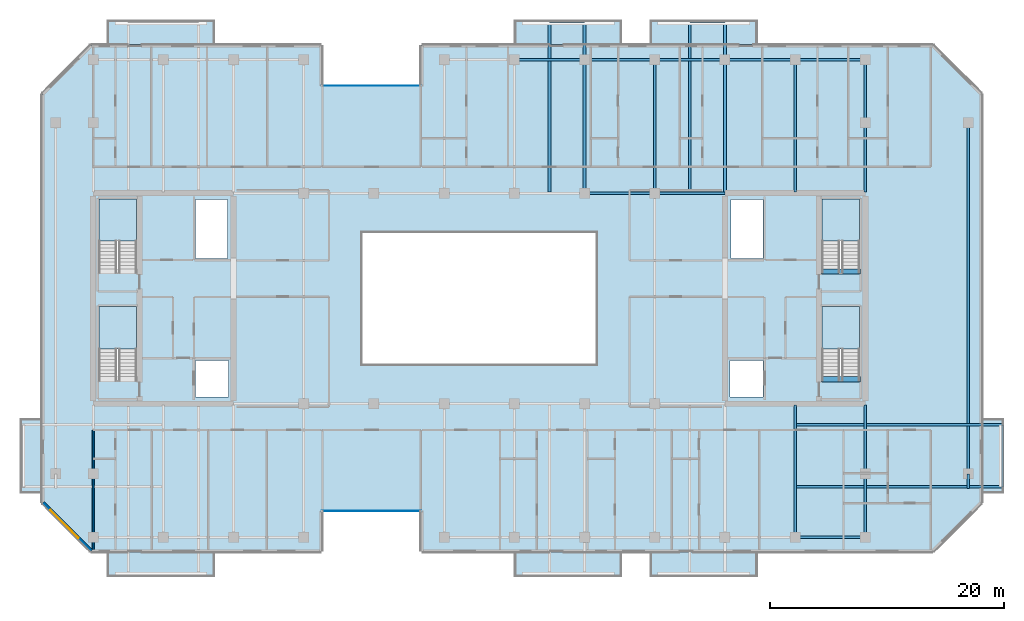
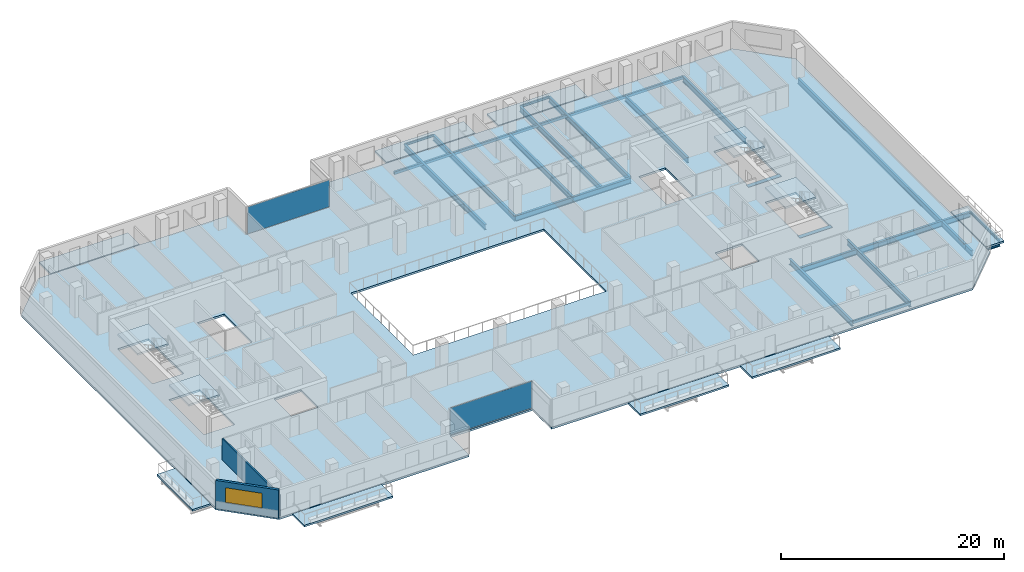
# One storey, part 8 of 19: 26 beams, 13 slabs, 2 plates, 2 walls, 1 window, 1 opening, 6 elements without a shape of their own.
"""IFC4 building model written with IfcOpenShell, lengths in metres."""

from ifc_helpers import new_model, si_unit, direction, frame, frame_2d, origin, origin_2d, place, context, subcontext, project, spatial, polyline, rectangle, hollow_rectangle, i_section, outline, extrude, material, layer, layer_set, material_profile, profile_set, type_object, element, fill, aggregate, save


model = new_model("IFC4")

# Units and contexts
model_context = context("Model", 3, precision=1e-05, world=origin(), true_north=direction((0.0, 1.0)))
body_context = subcontext(model_context, "Body", "Model", "MODEL_VIEW")
ifc_project = project(units=[si_unit("LENGTHUNIT", "METRE"), si_unit("AREAUNIT", "SQUARE_METRE"), si_unit("VOLUMEUNIT", "CUBIC_METRE"), si_unit("PLANEANGLEUNIT", "RADIAN"), si_unit("MASSUNIT", "GRAM", prefix="KILO")], contexts=[model_context])

# Site, building, storey
site_placement = place(None, origin())
site = spatial("IfcSite", under=ifc_project, at=site_placement, CompositionType="ELEMENT")
building_placement = place(site_placement, origin())
building = spatial("IfcBuilding", under=site, at=building_placement, Name="Tanjung Sevakor Pilgrim Tower", CompositionType="ELEMENT")
storey_placement = place(building_placement, frame((0.0, 0.0, 138.60009765625)))
storey = spatial("IfcBuildingStorey", under=building, at=storey_placement, Name="L38", CompositionType="ELEMENT", Elevation=138.60009765625)

# Beams
ifc_material_1 = material(Name="Steel S355J2", Category="steel")
ifc_material_profile_1 = material_profile(ifc_material_1, i_section(OverallWidth=0.230224609375, OverallDepth=0.6171875, WebThickness=0.01318359375, FlangeThickness=0.022216796875, FilletRadius=0.0126953125, at=origin_2d()))
ifc_profile_set_1 = profile_set([ifc_material_profile_1], Name="Steel S355J2")
beam_type_1 = type_object("IfcBeamType", Name="BM-B-G3-UB_610x229x140", PredefinedType="BEAM", material=ifc_profile_set_1)
for number, where, z_axis, x_axis, name in (
    (1, (66.0, 42.60009765625, -0.52880859375), (1.0, 0.0, 0.0), (0.0, 1.0, 0.0), "L38 Primary Floor Girder MAIN Y426-06"),
    (2, (72.0, 42.60009765625, -0.52880859375), (1.0, 0.0, 0.0), (0.0, 1.0, 0.0), "L38 Primary Floor Girder MAIN Y426-07"),
):
    element("IfcBeam", number, at=place(storey_placement, frame(where, z_axis=z_axis, x_axis=x_axis)), inside=storey, type_object=beam_type_1, Name=name, PredefinedType="BEAM", context=body_context, shape_type="SweptSolid", body=[
        extrude(i_section(OverallWidth=0.230224609375, OverallDepth=0.6171875, WebThickness=0.01318359375, FlangeThickness=0.022216796875, FilletRadius=0.0126953125, at=origin_2d()), origin(), (0.0, 0.0, 1.0), 6.0),
    ])
ifc_material_2 = material(Name="Steel S355J2", Category="steel")
ifc_material_profile_2 = material_profile(ifc_material_2, i_section(OverallWidth=0.22900390625, OverallDepth=0.6123046875, WebThickness=0.011962890625, FlangeThickness=0.01953125, FilletRadius=0.0126953125, at=origin_2d()))
ifc_profile_set_2 = profile_set([ifc_material_profile_2], Name="Steel S355J2")
beam_type_2 = type_object("IfcBeamType", Name="BM-B-G4-UB_610x229x125", PredefinedType="BEAM", material=ifc_profile_set_2)
beam_1_placement = place(storey_placement, frame((98.800048828125, 18.60009765625, -0.526123046875), z_axis=(0.0, 1.0, 0.0), x_axis=(-1.0, 0.0, 0.0)))
element("IfcBeam", 3, at=beam_1_placement, inside=storey, type_object=beam_type_2, Name="L38 Short-End Edge Girder E", PredefinedType="BEAM", context=body_context, shape_type="SweptSolid", body=[
    extrude(i_section(OverallWidth=0.22900390625, OverallDepth=0.6123046875, WebThickness=0.011962890625, FlangeThickness=0.01953125, FilletRadius=0.0126953125, at=origin_2d()), origin(), (0.0, 0.0, 1.0), 30.0),
])
beam_2_placement = place(storey_placement, frame((98.800048828125, 18.60009765625, -0.526123046875), z_axis=(0.0, -1.0, 0.0), x_axis=(1.0, 0.0, 0.0)))
element("IfcBeam", 4, at=beam_2_placement, inside=storey, type_object=beam_type_2, Name="L38 Short-End Edge Extension S-E", PredefinedType="BEAM", context=body_context, shape_type="SweptSolid", body=[
    extrude(i_section(OverallWidth=0.22900390625, OverallDepth=0.6123046875, WebThickness=0.011962890625, FlangeThickness=0.01953125, FilletRadius=0.0126953125, at=origin_2d()), origin(), (0.0, 0.0, 1.0), 1.25),
])
for number, where, z_axis, x_axis, name in (
    (5, (84.0, 17.5, -0.526123046875), (1.0, 0.0, 0.0), (0.0, 1.0, 0.0), "L38 Balcony Overhanging Beam MAIN-E1-1"),
    (6, (84.0, 22.800048828125, -0.526123046875), (1.0, 0.0, 0.0), (0.0, 1.0, 0.0), "L38 Balcony Overhanging Beam MAIN-E1-2"),
):
    element("IfcBeam", number, at=place(storey_placement, frame(where, z_axis=z_axis, x_axis=x_axis)), inside=storey, type_object=beam_type_2, Name=name, PredefinedType="BEAM", context=body_context, shape_type="SweptSolid", body=[
        extrude(i_section(OverallWidth=0.22900390625, OverallDepth=0.6123046875, WebThickness=0.011962890625, FlangeThickness=0.01953125, FilletRadius=0.0126953125, at=origin_2d()), origin(), (0.0, 0.0, 1.0), 17.72998046875),
    ])
beam_3_placement = place(storey_placement, frame((63.0, 42.715087890625, -0.526123046875), z_axis=(0.0, 1.0, 0.0), x_axis=(-1.0, 0.0, 0.0)))
element("IfcBeam", 7, at=beam_3_placement, inside=storey, type_object=beam_type_2, Name="L38 Balcony Cantilever Beam MAIN-N2-1", PredefinedType="BEAM", context=body_context, shape_type="SweptSolid", body=[
    extrude(i_section(OverallWidth=0.22900390625, OverallDepth=0.6123046875, WebThickness=0.011962890625, FlangeThickness=0.01953125, FilletRadius=0.0126953125, at=origin_2d()), origin(), (0.0, 0.0, 1.0), 14.56494140625),
])
beam_4_placement = place(storey_placement, frame((66.0, 42.60009765625, -0.526123046875), z_axis=(0.0, 1.0, 0.0), x_axis=(-1.0, 0.0, 0.0)))
element("IfcBeam", 8, at=beam_4_placement, inside=storey, type_object=beam_type_2, Name="L38 Balcony Cantilever Beam MAIN-N2-2", PredefinedType="BEAM", context=body_context, shape_type="SweptSolid", body=[
    extrude(i_section(OverallWidth=0.22900390625, OverallDepth=0.6123046875, WebThickness=0.011962890625, FlangeThickness=0.01953125, FilletRadius=0.0126953125, at=origin_2d()), origin(), (0.0, 0.0, 1.0), 14.679931640625),
])
beam_5_placement = place(storey_placement, frame((72.0, 42.60009765625, -0.526123046875), z_axis=(0.0, 1.0, 0.0), x_axis=(-1.0, 0.0, 0.0)))
element("IfcBeam", 9, at=beam_5_placement, inside=storey, type_object=beam_type_2, Name="L38 MAIN Girder 016", PredefinedType="BEAM", context=body_context, shape_type="SweptSolid", body=[
    extrude(i_section(OverallWidth=0.22900390625, OverallDepth=0.6123046875, WebThickness=0.011962890625, FlangeThickness=0.01953125, FilletRadius=0.0126953125, at=origin_2d()), origin(), (0.0, 0.0, 1.0), 11.39990234375),
])
for number, where, z_axis, x_axis, name in (
    (10, (75.0, 42.715087890625, -0.526123046875), (0.0, 1.0, 0.0), (-1.0, 0.0, 0.0), "L38 Balcony Cantilever Beam MAIN-N3-1"),
    (11, (78.0, 42.715087890625, -0.526123046875), (0.0, 1.0, 0.0), (-1.0, 0.0, 0.0), "L38 Balcony Cantilever Beam MAIN-N3-2"),
):
    element("IfcBeam", number, at=place(storey_placement, frame(where, z_axis=z_axis, x_axis=x_axis)), inside=storey, type_object=beam_type_2, Name=name, PredefinedType="BEAM", context=body_context, shape_type="SweptSolid", body=[
        extrude(i_section(OverallWidth=0.22900390625, OverallDepth=0.6123046875, WebThickness=0.011962890625, FlangeThickness=0.01953125, FilletRadius=0.0126953125, at=origin_2d()), origin(), (0.0, 0.0, 1.0), 14.56494140625),
    ])
for number, where, z_axis, x_axis, name in (
    (12, (84.0, 13.199951171875, -0.526123046875), (0.0, 1.0, 0.0), (-1.0, 0.0, 0.0), "L38 MAIN Girder 017"),
    (13, (84.0, 42.715087890625, -0.526123046875), (0.0, 1.0, 0.0), (-1.0, 0.0, 0.0), "L38 MAIN Girder 018"),
    (14, (90.0, 13.199951171875, -0.526123046875), (0.0, 1.0, 0.0), (-1.0, 0.0, 0.0), "L38 MAIN Girder 019"),
    (15, (90.0, 42.715087890625, -0.526123046875), (0.0, 1.0, 0.0), (-1.0, 0.0, 0.0), "L38 MAIN Girder 020"),
):
    element("IfcBeam", number, at=place(storey_placement, frame(where, z_axis=z_axis, x_axis=x_axis)), inside=storey, type_object=beam_type_2, Name=name, PredefinedType="BEAM", context=body_context, shape_type="SweptSolid", body=[
        extrude(i_section(OverallWidth=0.22900390625, OverallDepth=0.6123046875, WebThickness=0.011962890625, FlangeThickness=0.01953125, FilletRadius=0.0126953125, at=origin_2d()), origin(), (0.0, 0.0, 1.0), 11.284912109375),
    ])
ifc_material_3 = material(Name="Steel S355J2", Category="steel")
ifc_material_profile_3 = material_profile(ifc_material_3, i_section(OverallWidth=0.146484375, OverallDepth=0.256103515625, WebThickness=0.00634765625, FlangeThickness=0.010986328125, FilletRadius=0.007568359375, at=origin_2d()))
ifc_profile_set_3 = profile_set([ifc_material_profile_3], Name="Steel S355J2")
beam_type_3 = type_object("IfcBeamType", Name="BM-B-J6-UB_254x146x37", PredefinedType="JOIST", material=ifc_profile_set_3)
for number, where, z_axis, x_axis, name in (
    (16, (63.0, 57.280029296875, -0.328125), (1.0, 0.0, 0.0), (0.0, 1.0, 0.0), "L38 Balcony Rim Tie MAIN-N2"),
    (17, (75.0, 57.280029296875, -0.328125), (1.0, 0.0, 0.0), (0.0, 1.0, 0.0), "L38 Balcony Rim Tie MAIN-N3"),
):
    element("IfcBeam", number, at=place(storey_placement, frame(where, z_axis=z_axis, x_axis=x_axis)), inside=storey, type_object=beam_type_3, Name=name, PredefinedType="JOIST", context=body_context, shape_type="SweptSolid", body=[
        extrude(i_section(OverallWidth=0.146484375, OverallDepth=0.256103515625, WebThickness=0.00634765625, FlangeThickness=0.010986328125, FilletRadius=0.007568359375, at=origin_2d()), origin(), (0.0, 0.0, 1.0), 3.0),
    ])
beam_6_placement = place(storey_placement, frame((101.72998046875, 17.5, -0.328125), z_axis=(0.0, 1.0, 0.0), x_axis=(-1.0, 0.0, 0.0)))
element("IfcBeam", 18, at=beam_6_placement, inside=storey, type_object=beam_type_3, Name="L38 Balcony Rim Tie MAIN-E1", PredefinedType="JOIST", context=body_context, shape_type="SweptSolid", body=[
    extrude(i_section(OverallWidth=0.146484375, OverallDepth=0.256103515625, WebThickness=0.00634765625, FlangeThickness=0.010986328125, FilletRadius=0.007568359375, at=origin_2d()), origin(), (0.0, 0.0, 1.0), 5.300048828125),
])
ifc_material_4 = material(Name="Concrete C60/75", Category="concrete")
ifc_material_profile_4 = material_profile(ifc_material_4, rectangle(XDim=0.449951171875, YDim=0.699951171875, at=origin_2d()))
ifc_profile_set_4 = profile_set([ifc_material_profile_4], Name="Concrete C60/75")
beam_type_4 = type_object("IfcBeamType", Name="BM-B-LN3-RC-BM_450x700", PredefinedType="LINTEL", material=ifc_profile_set_4)
for number, where, z_axis, x_axis, name in (
    (19, (86.199951171875, 26.699951171875, -0.35009765625), (1.0, 0.0, 0.0), (0.0, 1.0, 0.0), "L38 TS-E1 Stair Threshold Beam"),
    (20, (86.199951171875, 35.89990234375, -0.35009765625), (1.0, 0.0, 0.0), (0.0, 1.0, 0.0), "L38 TS-E2 Stair Threshold Beam"),
):
    element("IfcBeam", number, at=place(storey_placement, frame(where, z_axis=z_axis, x_axis=x_axis)), inside=storey, type_object=beam_type_4, Name=name, PredefinedType="LINTEL", context=body_context, shape_type="SweptSolid", body=[
        extrude(rectangle(XDim=0.449951171875, YDim=0.699951171875, at=origin_2d()), origin(), (0.0, 0.0, 1.0), 3.400146484375),
    ])
ifc_material_5 = material(Name="Steel S355J2", Category="steel")
ifc_material_profile_5 = material_profile(ifc_material_5, hollow_rectangle(XDim=0.199951171875, YDim=0.300048828125, WallThickness=0.012451171875, at=origin_2d()))
ifc_profile_set_5 = profile_set([ifc_material_profile_5], Name="Steel S355J2")
beam_type_5 = type_object("IfcBeamType", Name="BM-B-SP3-RHS_300x200x12.5", PredefinedType="SPANDREL", material=ifc_profile_set_5)
for number, where, z_axis, x_axis, name in (
    (21, (60.0, 54.0, -0.3701171875), (1.0, 0.0, 0.0), (0.0, 1.0, 0.0), "L38 Spandrel MAIN N-10"),
    (22, (66.0, 54.0, -0.3701171875), (1.0, 0.0, 0.0), (0.0, 1.0, 0.0), "L38 Spandrel MAIN N-12"),
    (23, (72.0, 54.0, -0.3701171875), (1.0, 0.0, 0.0), (0.0, 1.0, 0.0), "L38 Spandrel MAIN N-14"),
    (24, (78.0, 54.0, -0.3701171875), (1.0, 0.0, 0.0), (0.0, 1.0, 0.0), "L38 Spandrel MAIN N-16"),
    (25, (84.0, 13.199951171875, -0.3701171875), (1.0, 0.0, 0.0), (0.0, 1.0, 0.0), "L38 Spandrel MAIN S-17"),
    (26, (84.0, 54.0, -0.3701171875), (1.0, 0.0, 0.0), (0.0, 1.0, 0.0), "L38 Spandrel MAIN N-18"),
):
    element("IfcBeam", number, at=place(storey_placement, frame(where, z_axis=z_axis, x_axis=x_axis)), inside=storey, type_object=beam_type_5, Name=name, PredefinedType="SPANDREL", context=body_context, shape_type="SweptSolid", body=[
        extrude(hollow_rectangle(XDim=0.199951171875, YDim=0.300048828125, WallThickness=0.012451171875, at=origin_2d()), origin(), (0.0, 0.0, 1.0), 6.0),
    ])

# Slabs
ifc_material_6 = material(Name="Concrete C40/50", Category="concrete")
ifc_layer_1 = layer(ifc_material_6, 0.199951171875)
ifc_layer_set_1 = layer_set([ifc_layer_1], Name="SL-BAL-200")
slab_type_1 = type_object("IfcSlabType", Name="SL-BAL-200", PredefinedType="FLOOR", material=ifc_layer_set_1)
slab_1_placement = place(storey_placement, frame((0.0, 0.0, -0.2001953125)))
element("IfcSlab", 27, at=slab_1_placement, inside=storey, type_object=slab_type_1, Name="L38 Planted Loggia Balcony MAIN-S1", PredefinedType="FLOOR", context=body_context, shape_type="SweptSolid", body=[
    extrude(outline(polyline([(25.199951171875, 9.800048828125), (34.39990234375, 9.800048828125), (34.39990234375, 11.89990234375), (25.199951171875, 11.89990234375), (25.199951171875, 9.800048828125)])), origin(), (0.0, 0.0, 1.0), 0.2001953125),
])
slab_2_placement = place(storey_placement, frame((0.0, 0.0, -0.2001953125)))
element("IfcSlab", 28, at=slab_2_placement, inside=storey, type_object=slab_type_1, Name="L38 Planted Loggia Balcony MAIN-N1", PredefinedType="FLOOR", context=body_context, shape_type="SweptSolid", body=[
    extrude(outline(polyline([(25.199951171875, 55.300048828125), (34.39990234375, 55.300048828125), (34.39990234375, 57.39990234375), (25.199951171875, 57.39990234375), (25.199951171875, 55.300048828125)])), origin(), (0.0, 0.0, 1.0), 0.2001953125),
])
slab_3_placement = place(storey_placement, frame((0.0, 0.0, -0.2001953125)))
element("IfcSlab", 29, at=slab_3_placement, inside=storey, type_object=slab_type_1, Name="L38 Planted Loggia Balcony MAIN-S2", PredefinedType="FLOOR", context=body_context, shape_type="SweptSolid", body=[
    extrude(outline(polyline([(60.0, 9.800048828125), (69.199951171875, 9.800048828125), (69.199951171875, 11.89990234375), (60.0, 11.89990234375), (60.0, 9.800048828125)])), origin(), (0.0, 0.0, 1.0), 0.2001953125),
])
slab_4_placement = place(storey_placement, frame((0.0, 0.0, -0.2001953125)))
element("IfcSlab", 30, at=slab_4_placement, inside=storey, type_object=slab_type_1, Name="L38 Planted Loggia Balcony MAIN-N2", PredefinedType="FLOOR", context=body_context, shape_type="SweptSolid", body=[
    extrude(outline(polyline([(60.0, 55.300048828125), (69.199951171875, 55.300048828125), (69.199951171875, 57.39990234375), (60.0, 57.39990234375), (60.0, 55.300048828125)])), origin(), (0.0, 0.0, 1.0), 0.2001953125),
])
slab_5_placement = place(storey_placement, frame((0.0, 0.0, -0.2001953125)))
element("IfcSlab", 31, at=slab_5_placement, inside=storey, type_object=slab_type_1, Name="L38 Planted Loggia Balcony MAIN-S3", PredefinedType="FLOOR", context=body_context, shape_type="SweptSolid", body=[
    extrude(outline(polyline([(71.60009765625, 9.800048828125), (80.800048828125, 9.800048828125), (80.800048828125, 11.89990234375), (71.60009765625, 11.89990234375), (71.60009765625, 9.800048828125)])), origin(), (0.0, 0.0, 1.0), 0.2001953125),
])
slab_6_placement = place(storey_placement, frame((0.0, 0.0, -0.2001953125)))
element("IfcSlab", 32, at=slab_6_placement, inside=storey, type_object=slab_type_1, Name="L38 Planted Loggia Balcony MAIN-N3", PredefinedType="FLOOR", context=body_context, shape_type="SweptSolid", body=[
    extrude(outline(polyline([(71.60009765625, 55.300048828125), (80.800048828125, 55.300048828125), (80.800048828125, 57.39990234375), (71.60009765625, 57.39990234375), (71.60009765625, 55.300048828125)])), origin(), (0.0, 0.0, 1.0), 0.2001953125),
])
slab_7_placement = place(storey_placement, frame((0.0, 0.0, -0.2001953125)))
element("IfcSlab", 33, at=slab_7_placement, inside=storey, type_object=slab_type_1, Name="L38 Planted Loggia Balcony MAIN-W1", PredefinedType="FLOOR", context=body_context, shape_type="SweptSolid", body=[
    extrude(outline(polyline([(17.75, 16.949951171875), (19.60009765625, 16.949951171875), (19.60009765625, 23.35009765625), (17.75, 23.35009765625), (17.75, 16.949951171875)])), origin(), (0.0, 0.0, 1.0), 0.2001953125),
])
slab_8_placement = place(storey_placement, frame((0.0, 0.0, -0.2001953125)))
element("IfcSlab", 34, at=slab_8_placement, inside=storey, type_object=slab_type_1, Name="L38 Planted Loggia Balcony MAIN-E1", PredefinedType="FLOOR", context=body_context, shape_type="SweptSolid", body=[
    extrude(outline(polyline([(100.0, 16.949951171875), (101.85009765625, 16.949951171875), (101.85009765625, 23.35009765625), (100.0, 23.35009765625), (100.0, 16.949951171875)])), origin(), (0.0, 0.0, 1.0), 0.2001953125),
])

# Stair, slab
ifc_material_7 = material(Name="Concrete C40/50", Category="concrete")
stair_type = type_object("IfcStairType", Name="STAIR-ST-CR150", PredefinedType="HALF_TURN_STAIR", material=ifc_material_7)
stair_1_placement = place(storey_placement, origin())
stair_1 = element("IfcStair", 35, at=stair_1_placement, inside=storey, type_object=stair_type, Name="L38 West Core Exit Stair 1", PredefinedType="HALF_TURN_STAIR")
ifc_material_8 = material(Name="Concrete C40/50", Category="concrete")
ifc_layer_2 = layer(ifc_material_8, 0.199951171875)
ifc_layer_set_2 = layer_set([ifc_layer_2], Name="SL-LAND-200")
slab_type_2 = type_object("IfcSlabType", Name="SL-LAND-200", PredefinedType="LANDING", material=ifc_layer_set_2)
slab_9_placement = place(storey_placement, frame((0.0, 0.0, 1.449951171875)))
slab_9 = element("IfcSlab", 36, at=slab_9_placement, type_object=slab_type_2, Name="TS-W1 landing 1", PredefinedType="LANDING", context=body_context, shape_type="SweptSolid", body=[
    extrude(outline(polyline([(27.699951171875, 29.300048828125), (27.699951171875, 32.89990234375), (24.5, 32.89990234375), (24.5, 29.300048828125), (27.699951171875, 29.300048828125)])), origin(), (0.0, 0.0, 1.0), 0.199951171875),
])
aggregate(stair_1, [slab_9])

stair_2_placement = place(storey_placement, origin())
stair_2 = element("IfcStair", 37, at=stair_2_placement, inside=storey, type_object=stair_type, Name="L38 West Core Exit Stair 2", PredefinedType="HALF_TURN_STAIR")
slab_10_placement = place(storey_placement, frame((0.0, 0.0, 1.449951171875)))
slab_10 = element("IfcSlab", 38, at=slab_10_placement, type_object=slab_type_2, Name="TS-W2 landing 1", PredefinedType="LANDING", context=body_context, shape_type="SweptSolid", body=[
    extrude(outline(polyline([(27.699951171875, 38.5), (27.699951171875, 42.10009765625), (24.5, 42.10009765625), (24.5, 38.5), (27.699951171875, 38.5)])), origin(), (0.0, 0.0, 1.0), 0.199951171875),
])
aggregate(stair_2, [slab_10])

stair_3_placement = place(storey_placement, origin())
stair_3 = element("IfcStair", 39, at=stair_3_placement, inside=storey, type_object=stair_type, Name="L38 East Core Exit Stair 1", PredefinedType="HALF_TURN_STAIR")
slab_11_placement = place(storey_placement, frame((0.0, 0.0, 1.449951171875)))
slab_11 = element("IfcSlab", 40, at=slab_11_placement, type_object=slab_type_2, Name="TS-E1 landing 1", PredefinedType="LANDING", context=body_context, shape_type="SweptSolid", body=[
    extrude(outline(polyline([(89.5, 29.300048828125), (89.5, 32.89990234375), (86.300048828125, 32.89990234375), (86.300048828125, 29.300048828125), (89.5, 29.300048828125)])), origin(), (0.0, 0.0, 1.0), 0.199951171875),
])
aggregate(stair_3, [slab_11])

stair_4_placement = place(storey_placement, origin())
stair_4 = element("IfcStair", 41, at=stair_4_placement, inside=storey, type_object=stair_type, Name="L38 East Core Exit Stair 2", PredefinedType="HALF_TURN_STAIR")
slab_12_placement = place(storey_placement, frame((0.0, 0.0, 1.449951171875)))
slab_12 = element("IfcSlab", 42, at=slab_12_placement, type_object=slab_type_2, Name="TS-E2 landing 1", PredefinedType="LANDING", context=body_context, shape_type="SweptSolid", body=[
    extrude(outline(polyline([(89.5, 38.5), (89.5, 42.10009765625), (86.300048828125, 42.10009765625), (86.300048828125, 38.5), (89.5, 38.5)])), origin(), (0.0, 0.0, 1.0), 0.199951171875),
])
aggregate(stair_4, [slab_12])

# Slab
ifc_material_9 = material(Name="Concrete C40/50", Category="concrete")
ifc_layer_3 = layer(ifc_material_9, 0.219970703125)
ifc_layer_set_3 = layer_set([ifc_layer_3], Name="SL-TWR-220")
slab_type_3 = type_object("IfcSlabType", Name="SL-TWR-220", PredefinedType="FLOOR", material=ifc_layer_set_3)
slab_13_placement = place(storey_placement, frame((0.0, 0.0, -0.22021484375)))
element("IfcSlab", 43, at=slab_13_placement, inside=storey, type_object=slab_type_3, Name="L38 Floor Slab MAIN", PredefinedType="FLOOR", context=body_context, shape_type="SweptSolid", body=[
    extrude(outline(polyline([(23.846923828125, 11.97998046875), (43.52001953125, 11.97998046875), (43.52001953125, 15.3798828125), (52.080078125, 15.3798828125), (52.080078125, 11.97998046875), (95.753173828125, 11.97998046875), (99.919921875, 16.14697265625), (99.919921875, 51.052978515625), (95.753173828125, 55.219970703125), (52.080078125, 55.219970703125), (52.080078125, 51.820068359375), (43.52001953125, 51.820068359375), (43.52001953125, 55.219970703125), (23.846923828125, 55.219970703125), (19.679931640625, 51.052978515625), (19.679931640625, 16.14697265625), (23.846923828125, 11.97998046875)]), holes=[polyline([(27.699951171875, 26.60009765625), (27.699951171875, 32.89990234375), (24.5, 32.89990234375), (24.5, 26.60009765625), (27.699951171875, 26.60009765625)]), polyline([(27.699951171875, 35.800048828125), (27.699951171875, 42.10009765625), (24.5, 42.10009765625), (24.5, 35.800048828125), (27.699951171875, 35.800048828125)]), polyline([(89.5, 26.60009765625), (89.5, 32.89990234375), (86.300048828125, 32.89990234375), (86.300048828125, 26.60009765625), (89.5, 26.60009765625)]), polyline([(89.5, 35.800048828125), (89.5, 42.10009765625), (86.300048828125, 42.10009765625), (86.300048828125, 35.800048828125), (89.5, 35.800048828125)]), polyline([(32.75, 25.199951171875), (35.550048828125, 25.199951171875), (35.550048828125, 28.300048828125), (32.75, 28.300048828125), (32.75, 25.199951171875)]), polyline([(32.75, 37.0), (35.5, 37.0), (35.5, 42.050048828125), (32.75, 42.050048828125), (32.75, 37.0)]), polyline([(78.449951171875, 25.199951171875), (81.25, 25.199951171875), (81.25, 28.300048828125), (78.449951171875, 28.300048828125), (78.449951171875, 25.199951171875)]), polyline([(78.5, 37.0), (81.25, 37.0), (81.25, 42.050048828125), (78.5, 42.050048828125), (78.5, 37.0)]), polyline([(47.0, 28.0), (67.0, 28.0), (67.0, 39.199951171875), (47.0, 39.199951171875), (47.0, 28.0)])]), origin(), (0.0, 0.0, 1.0), 0.22021484375),
])

# Curtain wall, plate
ifc_material_10 = material(Name="Aluminium 6063-T6 and Low-E Glass", Category="aluminium")
ifc_layer_4 = layer(ifc_material_10, 0.179931640625)
ifc_layer_set_4 = layer_set([ifc_layer_4], Name="CW-SYS-CLEFT")
curtain_wall_type = type_object("IfcCurtainWallType", Name="CW-SYS-CLEFT", PredefinedType="NOTDEFINED", material=ifc_layer_set_4)
curtain_wall_1_placement = place(storey_placement, origin())
curtain_wall_1 = element("IfcCurtainWall", 44, at=curtain_wall_1_placement, inside=storey, type_object=curtain_wall_type, Name="L38 Curtain Wall CW-CLF-L38-2", PredefinedType="NOTDEFINED")
ifc_material_11 = material(Name="Laminated Low-E Double Glazing", Category="glass")
ifc_layer_5 = layer(ifc_material_11, 0.028076171875)
ifc_layer_set_5 = layer_set([ifc_layer_5], Name="TYPE-CWP-GLZ1")
plate_type = type_object("IfcPlateType", Name="TYPE-CWP-GLZ1", PredefinedType="CURTAIN_PANEL", material=ifc_layer_set_5)
plate_1_placement = place(storey_placement, frame((47.800048828125, 15.425048828125, 0.06494140625), z_axis=(0.0, 0.0, 1.0), x_axis=(1.0, 0.0, 0.0)))
plate_1 = element("IfcPlate", 45, at=plate_1_placement, type_object=plate_type, Name="CW-CLF panel 1.1", PredefinedType="CURTAIN_PANEL", context=body_context, shape_type="SweptSolid", body=[
    extrude(rectangle(XDim=8.5, YDim=0.028076171875, at=origin_2d()), origin(), (0.0, 0.0, 1.0), 2.949951171875),
])
aggregate(curtain_wall_1, [plate_1])

curtain_wall_2_placement = place(storey_placement, origin())
curtain_wall_2 = element("IfcCurtainWall", 46, at=curtain_wall_2_placement, inside=storey, type_object=curtain_wall_type, Name="L38 Curtain Wall CW-CLF-L38-10", PredefinedType="NOTDEFINED")
plate_2_placement = place(storey_placement, frame((47.800048828125, 51.77490234375, 0.06494140625), z_axis=(0.0, 0.0, 1.0), x_axis=(-1.0, 0.0, 0.0)))
plate_2 = element("IfcPlate", 47, at=plate_2_placement, type_object=plate_type, Name="CW-CLF panel 1.1", PredefinedType="CURTAIN_PANEL", context=body_context, shape_type="SweptSolid", body=[
    extrude(rectangle(XDim=8.5, YDim=0.028076171875, at=origin_2d()), origin(), (0.0, 0.0, 1.0), 2.949951171875),
])
aggregate(curtain_wall_2, [plate_2])

# Wall
ifc_material_12 = material(Name="Concrete C40/50", Category="concrete")
ifc_layer_6 = layer(ifc_material_12, 0.14990234375)
ifc_layer_set_6 = layer_set([ifc_layer_6], Name="WT-COMP-150")
wall_type_1 = type_object("IfcWallType", Name="WT-COMP-150", PredefinedType="SOLIDWALL", material=ifc_layer_set_6)
wall_1_placement = place(storey_placement, frame((24.0, 12.14990234375, 0.0), z_axis=(0.0, 0.0, 1.0), x_axis=(0.0, 1.0, 0.0)))
element("IfcWall", 48, at=wall_1_placement, inside=storey, type_object=wall_type_1, Name="L38 Partition IW-L38-037", PredefinedType="SOLIDWALL", context=body_context, shape_type="SweptSolid", body=[
    extrude(rectangle(XDim=10.2001953125, YDim=0.14990234375, at=frame_2d((5.10009765625, 0.0))), origin(), (0.0, 0.0, 1.0), 2.35009765625),
])

# Wall, opening, window
ifc_material_13 = material(Name="Precast concrete C45/55", Category="concrete")
ifc_layer_7 = layer(ifc_material_13, 0.25)
ifc_layer_set_7 = layer_set([ifc_layer_7], Name="WT-EW-STN3")
wall_type_2 = type_object("IfcWallType", Name="WT-EW-STN3", PredefinedType="SOLIDWALL", material=ifc_layer_set_7)
wall_2_placement = place(storey_placement, frame((19.72509765625, 16.15185546875, 0.0), z_axis=(0.0, 0.0, 1.0), x_axis=(0.70708586489, -0.707127696864, 0.0)))
wall_2 = element("IfcWall", 49, at=wall_2_placement, inside=storey, type_object=wall_type_2, Name="L38 MAIN Sculpted Corner Wall 15", PredefinedType="SOLIDWALL", context=body_context, shape_type="SweptSolid", body=[
    extrude(rectangle(XDim=5.836181640625, YDim=0.25, at=frame_2d((2.91796875, 0.0))), origin(), (0.0, 0.0, 1.0), 3.080078125),
])
opening_placement = place(wall_2_placement, frame((0.898193359375, 0.0, 0.780029296875)))
opening = element("IfcOpeningElement", 50, at=opening_placement, cuts=wall_2, Name="Opening WN-CHM-1660", PredefinedType="OPENING", context=body_context, shape_type="SweptSolid", body=[
    extrude(rectangle(XDim=3.39990234375, YDim=1.659912109375, at=frame_2d((1.699951171875, 0.830078125))), frame((0.0, 0.135009765625, 0.0), z_axis=(0.0, -1.0, 0.0), x_axis=(1.0, 0.0, 0.0)), (0.0, 0.0, 1.0), 0.27001953125),
])
ifc_material_14 = material(Name="Thermally Broken Aluminium and Low-E Glass", Category="aluminium")
window_type = type_object("IfcWindowType", Name="WTYP-WN-CHM-1660", PartitioningType="DOUBLE_PANEL_VERTICAL", PredefinedType="WINDOW", material=ifc_material_14)
window_placement = place(opening_placement, origin())
window = element("IfcWindow", 51, at=window_placement, inside=storey, type_object=window_type, Name="L38 Facade Window 01", OverallHeight=1.659912109375, OverallWidth=3.39990234375, PartitioningType="SINGLE_PANEL", PredefinedType="WINDOW", context=body_context, shape_type="SweptSolid", body=[
    extrude(rectangle(XDim=3.39990234375, YDim=1.659912109375, at=frame_2d((1.699951171875, 0.830078125))), frame((0.0, 0.030029296875, 0.0), z_axis=(0.0, -1.0, 0.0), x_axis=(1.0, 0.0, 0.0)), (0.0, 0.0, 1.0), 0.06005859375),
])
fill(opening, window)

save(model, "model.ifc")
